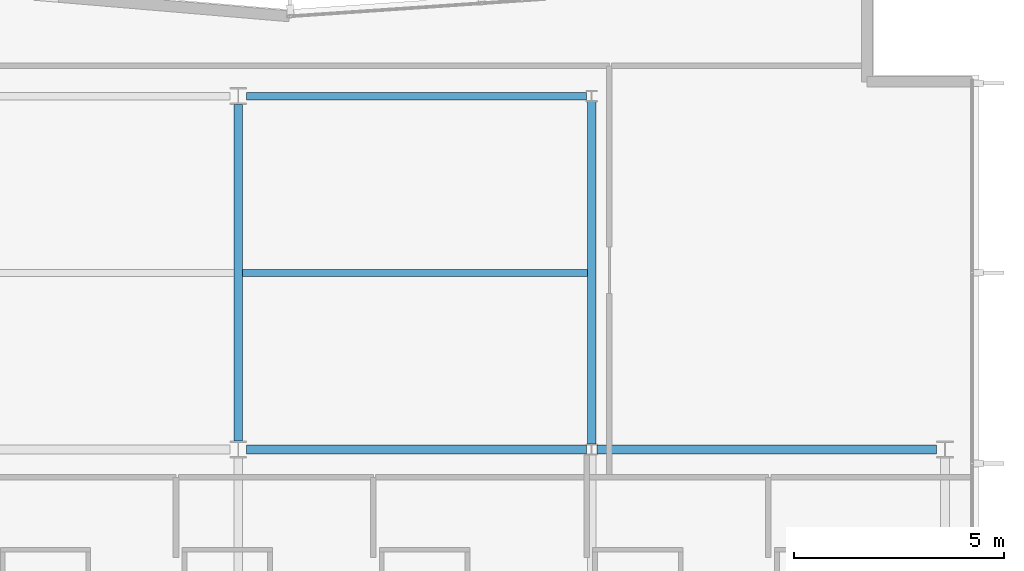
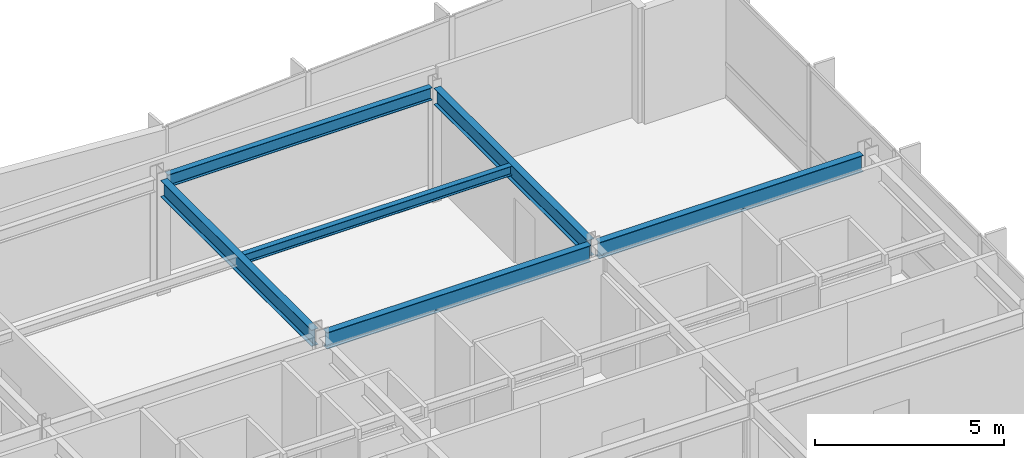
# One storey, part 6 of 17: 6 beams.
"""IFC4 building model written with IfcOpenShell, lengths in metres."""

from ifc_helpers import new_model, si_unit, direction, frame, origin, origin_2d, place, context, subcontext, project, spatial, i_section, extrude, material, material_profile, profile_set, type_object, element, save


model = new_model("IFC4")

# Units and contexts
model_context = context("Model", 3, precision=1e-05, world=origin(), true_north=direction((0.0, 1.0)))
body_context = subcontext(model_context, "Body", "Model", "MODEL_VIEW")
ifc_project = project(units=[si_unit("LENGTHUNIT", "METRE"), si_unit("AREAUNIT", "SQUARE_METRE"), si_unit("VOLUMEUNIT", "CUBIC_METRE"), si_unit("PLANEANGLEUNIT", "RADIAN"), si_unit("MASSUNIT", "GRAM", prefix="KILO")], contexts=[model_context])

# Site, building, storey
site_placement = place(None, origin())
site = spatial("IfcSite", under=ifc_project, at=site_placement, CompositionType="ELEMENT")
building_placement = place(site_placement, origin())
building = spatial("IfcBuilding", under=site, at=building_placement, Name="Varnakote Quay Hospital", CompositionType="ELEMENT")
storey_placement = place(building_placement, frame((0.0, 0.0, 227.64990234375)))
storey = spatial("IfcBuildingStorey", under=building, at=storey_placement, Name="L56", CompositionType="ELEMENT", Elevation=227.64990234375)

# Beams
ifc_material_1 = material(Name="Structural steel AS/NZS 3679.1 Grade 350 L0 (fy 340 MPa)", Category="steel")
ifc_material_profile_1 = material_profile(ifc_material_1, i_section(OverallWidth=0.208984375, OverallDepth=0.528076171875, WebThickness=0.009521484375, FlangeThickness=0.01318359375, FilletRadius=0.013916015625, at=origin_2d()), Name="530UB82.0")
ifc_profile_set_1 = profile_set([ifc_material_profile_1], Name="Structural steel AS/NZS 3679.1 Grade 350 L0 (fy 340 MPa)")
beam_type_1 = type_object("IfcBeamType", Name="BM-STL-530UB82-0", PredefinedType="BEAM", material=ifc_profile_set_1)
beam_1_placement = place(storey_placement, frame((33.60009765625, 20.60205078125, 3.446044921875), z_axis=(0.0, 1.0, 0.0), x_axis=(-1.0, 0.0, 0.0)))
element("IfcBeam", 1, at=beam_1_placement, inside=storey, type_object=beam_type_1, Name="L56 Primary Tie Beam", PredefinedType="BEAM", context=body_context, shape_type="SweptSolid", body=[
    extrude(i_section(OverallWidth=0.208984375, OverallDepth=0.528076171875, WebThickness=0.009521484375, FlangeThickness=0.01318359375, FilletRadius=0.013916015625, at=origin_2d()), origin(), (0.0, 0.0, 1.0), 7.995849609375),
])
beam_2_placement = place(storey_placement, frame((42.0, 20.530029296875, 3.446044921875), z_axis=(0.0, 1.0, 0.0), x_axis=(-1.0, 0.0, 0.0)))
element("IfcBeam", 2, at=beam_2_placement, inside=storey, type_object=beam_type_1, Name="L56 Primary Tie Beam", PredefinedType="BEAM", context=body_context, shape_type="SweptSolid", body=[
    extrude(i_section(OverallWidth=0.208984375, OverallDepth=0.528076171875, WebThickness=0.009521484375, FlangeThickness=0.01318359375, FilletRadius=0.013916015625, at=origin_2d()), origin(), (0.0, 0.0, 1.0), 8.139892578125),
])
ifc_material_2 = material(Name="Structural steel AS/NZS 3679.1 Grade 350 L0 (fy 340 MPa)", Category="steel")
ifc_material_profile_2 = material_profile(ifc_material_2, i_section(OverallWidth=0.208984375, OverallDepth=0.532958984375, WebThickness=0.01025390625, FlangeThickness=0.015625, FilletRadius=0.013916015625, at=origin_2d()), Name="530UB92.4")
ifc_profile_set_2 = profile_set([ifc_material_profile_2], Name="Structural steel AS/NZS 3679.1 Grade 350 L0 (fy 340 MPa)")
beam_type_2 = type_object("IfcBeamType", Name="BM-STL-530UB92-4", PredefinedType="BEAM", material=ifc_profile_set_2)
for number, where, z_axis, x_axis, name in (
    (3, (33.800048828125, 20.39990234375, 3.443603515625), (1.0, 0.0, 0.0), (0.0, 1.0, 0.0), "L56 Primary Floor Beam"),
    (4, (42.1279296875, 20.39990234375, 3.443603515625), (1.0, 0.0, 0.0), (0.0, 1.0, 0.0), "L56 Primary Floor Beam"),
):
    element("IfcBeam", number, at=place(storey_placement, frame(where, z_axis=z_axis, x_axis=x_axis)), inside=storey, type_object=beam_type_2, Name=name, PredefinedType="BEAM", context=body_context, shape_type="SweptSolid", body=[
        extrude(i_section(OverallWidth=0.208984375, OverallDepth=0.532958984375, WebThickness=0.01025390625, FlangeThickness=0.015625, FilletRadius=0.013916015625, at=origin_2d()), origin(), (0.0, 0.0, 1.0), 8.072021484375),
    ])
ifc_material_3 = material(Name="Structural steel AS/NZS 3679.1 Grade 350 L0 (fy 340 MPa)", Category="steel")
ifc_material_profile_3 = material_profile(ifc_material_3, i_section(OverallWidth=0.166015625, OverallDepth=0.306884765625, WebThickness=0.006591796875, FlangeThickness=0.01171875, FilletRadius=0.011474609375, at=origin_2d()), Name="310UB46.2")
ifc_profile_set_3 = profile_set([ifc_material_profile_3], Name="Structural steel AS/NZS 3679.1 Grade 350 L0 (fy 340 MPa)")
beam_type_3 = type_object("IfcBeamType", Name="JST-STL-310UB46-2", PredefinedType="JOIST", material=ifc_profile_set_3)
beam_3_placement = place(storey_placement, frame((33.70458984375, 24.60009765625, 3.556640625), z_axis=(1.0, 0.0, 0.0), x_axis=(0.0, 1.0, 0.0)))
element("IfcBeam", 5, at=beam_3_placement, inside=storey, type_object=beam_type_3, Name="L56 Composite Floor Joist", PredefinedType="JOIST", context=body_context, shape_type="SweptSolid", body=[
    extrude(i_section(OverallWidth=0.166015625, OverallDepth=0.306884765625, WebThickness=0.006591796875, FlangeThickness=0.01171875, FilletRadius=0.011474609375, at=origin_2d()), origin(), (0.0, 0.0, 1.0), 8.19091796875),
])
ifc_material_4 = material(Name="Structural steel AS/NZS 3679.1 Grade 350 L0 (fy 340 MPa)", Category="steel")
ifc_material_profile_4 = material_profile(ifc_material_4, i_section(OverallWidth=0.177978515625, OverallDepth=0.406005859375, WebThickness=0.0078125, FlangeThickness=0.0126953125, FilletRadius=0.011474609375, at=origin_2d()), Name="410UB59.7")
ifc_profile_set_4 = profile_set([ifc_material_profile_4], Name="Structural steel AS/NZS 3679.1 Grade 350 L0 (fy 340 MPa)")
beam_type_4 = type_object("IfcBeamType", Name="SPN-STL-410UB59-7", PredefinedType="SPANDREL", material=ifc_profile_set_4)
beam_4_placement = place(storey_placement, frame((33.800048828125, 28.800048828125, 3.507080078125), z_axis=(1.0, 0.0, 0.0), x_axis=(0.0, 1.0, 0.0)))
element("IfcBeam", 6, at=beam_4_placement, inside=storey, type_object=beam_type_4, Name="L56 Perimeter Spandrel Beam", PredefinedType="SPANDREL", context=body_context, shape_type="SweptSolid", body=[
    extrude(i_section(OverallWidth=0.177978515625, OverallDepth=0.406005859375, WebThickness=0.0078125, FlangeThickness=0.0126953125, FilletRadius=0.011474609375, at=origin_2d()), origin(), (0.0, 0.0, 1.0), 8.072021484375),
])

save(model, "model.ifc")
